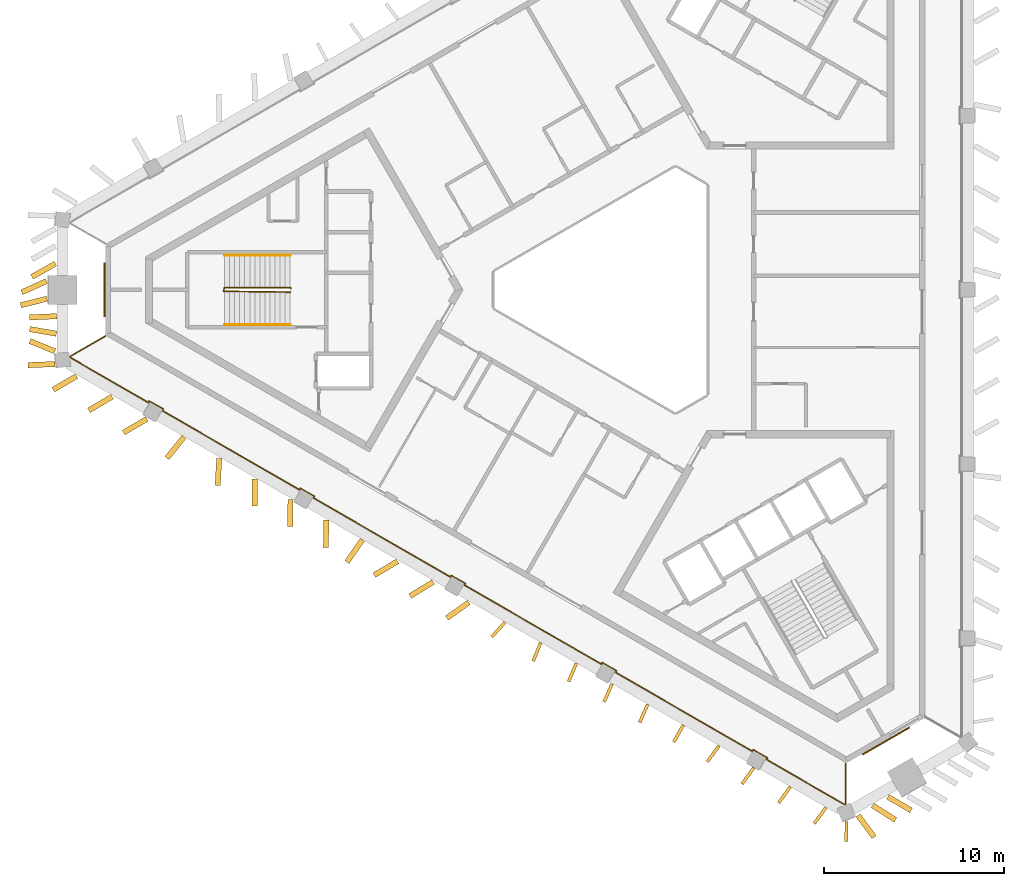
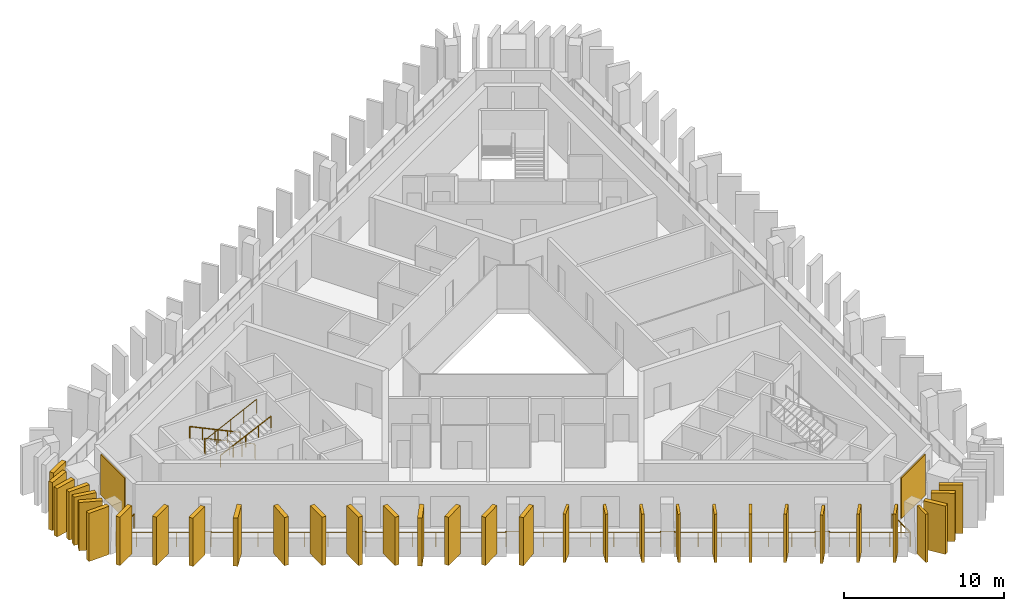
# One storey, part 7 of 9: 33 shading devices, 4 railings, 2 coverings.
"""IFC4 building model written with IfcOpenShell, lengths in metres."""

from ifc_helpers import new_model, si_unit, direction, frame, frame_2d, origin, origin_2d, place, context, subcontext, project, spatial, rectangle, circle, extrude, material, layer, layer_set, type_object, element, save


model = new_model("IFC4")

# Units and contexts
model_context = context("Model", 3, precision=1e-05, world=origin(), true_north=direction((0.0, 1.0)))
body_context = subcontext(model_context, "Body", "Model", "MODEL_VIEW")
ifc_project = project(units=[si_unit("LENGTHUNIT", "METRE"), si_unit("AREAUNIT", "SQUARE_METRE"), si_unit("VOLUMEUNIT", "CUBIC_METRE"), si_unit("PLANEANGLEUNIT", "RADIAN"), si_unit("MASSUNIT", "GRAM", prefix="KILO")], contexts=[model_context])

# Site, building, storey
site_placement = place(None, origin())
site = spatial("IfcSite", under=ifc_project, at=site_placement, CompositionType="ELEMENT")
building_placement = place(site_placement, origin())
building = spatial("IfcBuilding", under=site, at=building_placement, Name="Jabali Bay Hotel Tower and Convention Centre", CompositionType="ELEMENT")
storey_placement = place(building_placement, frame((0.0, 0.0, 281.199951171875)))
storey = spatial("IfcBuildingStorey", under=building, at=storey_placement, Name="L69", CompositionType="ELEMENT", Elevation=281.199951171875)

# Railing
ifc_material_1 = material(Name="Glass", Category="glass")
railing_type_1 = type_object("IfcRailingType", Name="Loggia glass guard 1100", PredefinedType="BALUSTRADE", material=ifc_material_1)
railing_1_placement = place(storey_placement, frame((87.193359375, 53.75927734375, 0.0)))
element("IfcRailing", 1, at=railing_1_placement, inside=storey, type_object=railing_type_1, Name="Loggia glass guard L69", PredefinedType="BALUSTRADE", context=body_context, shape_type="SweptSolid", body=[
    extrude(circle(Radius=0.02490234375, at=origin_2d()), frame((0.0, 0.0, 1.0751953125), z_axis=(0.0, -1.0, 0.0), x_axis=(0.991444861374, 0.0, 0.13052619222)), (0.0, 0.0, 1.0), 2.275146484375),
    extrude(circle(Radius=0.02490234375, at=origin_2d()), frame((0.0, -2.275146484375, 1.0751953125), z_axis=(-0.922495174035, -0.386008618922, 0.0), x_axis=(0.382706261677, -0.914603099939, 0.13052619222)), (0.0, 0.0, 1.0), 0.037353515625),
    extrude(circle(Radius=0.02490234375, at=origin_2d()), frame((-0.034423828125, -2.28955078125, 1.0751953125), z_axis=(-0.866030183273, 0.499991721592, 0.0), x_axis=(-0.495714223102, -0.858621175, 0.13052619222)), (0.0, 0.0, 1.0), 5.02294921875),
    extrude(circle(Radius=0.02490234375, at=origin_2d()), frame((-4.384521484375, 0.221923828125, 1.0751953125), z_axis=(0.501132629342, 0.865370491644, 0.0), x_axis=(-0.857967127125, 0.496845370228, 0.13052619222)), (0.0, 0.0, 1.0), 0.099853515625),
    extrude(circle(Radius=0.02490234375, at=origin_2d()), frame((-4.33447265625, 0.308349609375, 1.0751953125), z_axis=(-0.865896406789, 0.500223362819, 0.0), x_axis=(-0.495943882606, -0.858488542993, 0.13052619222)), (0.0, 0.0, 1.0), 0.89990234375),
    extrude(circle(Radius=0.02490234375, at=origin_2d()), frame((-5.11376953125, 0.758544921875, 1.0751953125), z_axis=(-0.500074377092, -0.865982457891, 0.0), x_axis=(0.858573857916, -0.495796171473, 0.13052619222)), (0.0, 0.0, 1.0), 0.10009765625),
    extrude(circle(Radius=0.02490234375, at=origin_2d()), frame((-5.163818359375, 0.671875, 1.0751953125), z_axis=(-0.866024096579, 0.500002264139, 0.0), x_axis=(-0.495724675456, -0.858615140379, 0.13052619222)), (0.0, 0.0, 1.0), 8.76123046875),
    extrude(circle(Radius=0.02490234375, at=origin_2d()), frame((-12.751220703125, 5.052490234375, 1.0751953125), z_axis=(0.501132629342, 0.865370491644, 0.0), x_axis=(-0.857967127125, 0.496845370228, 0.13052619222)), (0.0, 0.0, 1.0), 0.099853515625),
    extrude(circle(Radius=0.02490234375, at=origin_2d()), frame((-12.701171875, 5.138916015625, 1.0751953125), z_axis=(-0.865964261186, 0.500105887137, 0.0), x_axis=(-0.495827411944, -0.858555816886, 0.13052619222)), (0.0, 0.0, 1.0), 0.900146484375),
    extrude(circle(Radius=0.02490234375, at=origin_2d()), frame((-13.480712890625, 5.589111328125, 1.0751953125), z_axis=(-0.4982416694, -0.867038199201, 0.0), x_axis=(0.859620567213, -0.493979142849, 0.13052619222)), (0.0, 0.0, 1.0), 0.099853515625),
    extrude(circle(Radius=0.02490234375, at=origin_2d()), frame((-13.530517578125, 5.50244140625, 1.0751953125), z_axis=(-0.866024096579, 0.500002264139, 0.0), x_axis=(-0.495724675456, -0.858615140379, 0.13052619222)), (0.0, 0.0, 1.0), 8.76123046875),
    extrude(circle(Radius=0.02490234375, at=origin_2d()), frame((-21.117919921875, 9.883056640625, 1.0751953125), z_axis=(0.501132629342, 0.865370491644, 0.0), x_axis=(-0.857967127125, 0.496845370228, 0.13052619222)), (0.0, 0.0, 1.0), 0.099853515625),
    extrude(circle(Radius=0.02490234375, at=origin_2d()), frame((-21.06787109375, 9.969482421875, 1.0751953125), z_axis=(-0.866081705922, 0.499902469156, 0.0), x_axis=(-0.495625734232, -0.858672256866, 0.13052619222)), (0.0, 0.0, 1.0), 0.900146484375),
    extrude(circle(Radius=0.02490234375, at=origin_2d()), frame((-21.847412109375, 10.41943359375, 1.0751953125), z_axis=(-0.501132629342, -0.865370491644, 0.0), x_axis=(0.857967127125, -0.496845370228, 0.13052619222)), (0.0, 0.0, 1.0), 0.099853515625),
    extrude(circle(Radius=0.02490234375, at=origin_2d()), frame((-21.8974609375, 10.3330078125, 1.0751953125), z_axis=(-0.86602919656, 0.499993430662, 0.0), x_axis=(-0.495715917551, -0.858620196729, 0.13052619222)), (0.0, 0.0, 1.0), 8.7607421875),
    extrude(circle(Radius=0.02490234375, at=origin_2d()), frame((-29.484619140625, 14.71337890625, 1.0751953125), z_axis=(0.500074377092, 0.865982457891, 0.0), x_axis=(-0.858573857916, 0.495796171473, 0.13052619222)), (0.0, 0.0, 1.0), 0.10009765625),
    extrude(circle(Radius=0.02490234375, at=origin_2d()), frame((-29.4345703125, 14.800048828125, 1.0751953125), z_axis=(-0.866081705922, 0.499902469156, 0.0), x_axis=(-0.495625734232, -0.858672256866, 0.13052619222)), (0.0, 0.0, 1.0), 0.900146484375),
    extrude(circle(Radius=0.02490234375, at=origin_2d()), frame((-30.214111328125, 15.25, 1.0751953125), z_axis=(-0.501132629342, -0.865370491644, 0.0), x_axis=(0.857967127125, -0.496845370228, 0.13052619222)), (0.0, 0.0, 1.0), 0.099853515625),
    extrude(circle(Radius=0.02490234375, at=origin_2d()), frame((-30.26416015625, 15.16357421875, 1.0751953125), z_axis=(-0.86602919656, 0.499993430662, 0.0), x_axis=(-0.495715917551, -0.858620196729, 0.13052619222)), (0.0, 0.0, 1.0), 8.7607421875),
    extrude(circle(Radius=0.02490234375, at=origin_2d()), frame((-37.851318359375, 19.5439453125, 1.0751953125), z_axis=(0.4982416694, 0.867038199201, 0.0), x_axis=(-0.859620567213, 0.493979142849, 0.13052619222)), (0.0, 0.0, 1.0), 0.099853515625),
    extrude(circle(Radius=0.02490234375, at=origin_2d()), frame((-37.801513671875, 19.630615234375, 1.0751953125), z_axis=(-0.866013897511, 0.50001992892, 0.0), x_axis=(-0.495742189112, -0.858605028566, 0.13052619222)), (0.0, 0.0, 1.0), 0.89990234375),
    extrude(circle(Radius=0.02490234375, at=origin_2d()), frame((-38.580810546875, 20.08056640625, 1.0751953125), z_axis=(-0.501132629342, -0.865370491644, 0.0), x_axis=(0.857967127125, -0.496845370228, 0.13052619222)), (0.0, 0.0, 1.0), 0.099853515625),
    extrude(circle(Radius=0.02490234375, at=origin_2d()), frame((-38.630859375, 19.994140625, 1.0751953125), z_axis=(-0.866030183273, 0.499991721592, 0.0), x_axis=(-0.495714223102, -0.858621175, 0.13052619222)), (0.0, 0.0, 1.0), 5.02294921875),
    extrude(circle(Radius=0.02490234375, at=origin_2d()), frame((-42.98095703125, 22.505615234375, 1.0751953125), z_axis=(-0.124843395554, 0.9921764594, 0.0), x_axis=(-0.983688252248, -0.123775342998, 0.13052619222)), (0.0, 0.0, 1.0), 0.037109375),
    extrude(circle(Radius=0.02490234375, at=origin_2d()), frame((-42.985595703125, 22.54248046875, 1.0751953125), z_axis=(0.865989003036, 0.500063042646, 0.0), x_axis=(-0.495784933994, 0.858580347067, 0.13052619222)), (0.0, 0.0, 1.0), 2.275146484375),
    extrude(circle(Radius=0.02001953125, at=origin_2d()), origin(), (0.0, 0.0, 1.0), 1.050048828125),
    extrude(circle(Radius=0.02001953125, at=origin_2d()), frame((0.0, -1.1376953125, 0.0)), (0.0, 0.0, 1.0), 1.050048828125),
    extrude(circle(Radius=0.02001953125, at=origin_2d()), frame((0.0, -2.275146484375, 0.0)), (0.0, 0.0, 1.0), 1.050048828125),
    extrude(circle(Radius=0.02001953125, at=origin_2d()), frame((-0.034423828125, -2.28955078125, 0.0)), (0.0, 0.0, 1.0), 1.050048828125),
    extrude(circle(Radius=0.02001953125, at=origin_2d()), frame((-1.1220703125, -1.66162109375, 0.0)), (0.0, 0.0, 1.0), 1.050048828125),
    extrude(circle(Radius=0.02001953125, at=origin_2d()), frame((-2.20947265625, -1.03369140625, 0.0)), (0.0, 0.0, 1.0), 1.050048828125),
    extrude(circle(Radius=0.02001953125, at=origin_2d()), frame((-3.296875, -0.406005859375, 0.0)), (0.0, 0.0, 1.0), 1.050048828125),
    extrude(circle(Radius=0.02001953125, at=origin_2d()), frame((-4.384521484375, 0.221923828125, 0.0)), (0.0, 0.0, 1.0), 1.050048828125),
    extrude(circle(Radius=0.02001953125, at=origin_2d()), frame((-4.33447265625, 0.308349609375, 0.0)), (0.0, 0.0, 1.0), 1.050048828125),
    extrude(circle(Radius=0.02001953125, at=origin_2d()), frame((-5.11376953125, 0.758544921875, 0.0)), (0.0, 0.0, 1.0), 1.050048828125),
    extrude(circle(Radius=0.02001953125, at=origin_2d()), frame((-5.163818359375, 0.671875, 0.0)), (0.0, 0.0, 1.0), 1.050048828125),
    extrude(circle(Radius=0.02001953125, at=origin_2d()), frame((-6.428466796875, 1.40185546875, 0.0)), (0.0, 0.0, 1.0), 1.050048828125),
    extrude(circle(Radius=0.02001953125, at=origin_2d()), frame((-7.69287109375, 2.132080078125, 0.0)), (0.0, 0.0, 1.0), 1.050048828125),
    extrude(circle(Radius=0.02001953125, at=origin_2d()), frame((-8.95751953125, 2.8623046875, 0.0)), (0.0, 0.0, 1.0), 1.050048828125),
    extrude(circle(Radius=0.02001953125, at=origin_2d()), frame((-10.22216796875, 3.59228515625, 0.0)), (0.0, 0.0, 1.0), 1.050048828125),
    extrude(circle(Radius=0.02001953125, at=origin_2d()), frame((-11.486572265625, 4.322265625, 0.0)), (0.0, 0.0, 1.0), 1.050048828125),
    extrude(circle(Radius=0.02001953125, at=origin_2d()), frame((-12.751220703125, 5.052490234375, 0.0)), (0.0, 0.0, 1.0), 1.050048828125),
    extrude(circle(Radius=0.02001953125, at=origin_2d()), frame((-12.701171875, 5.138916015625, 0.0)), (0.0, 0.0, 1.0), 1.050048828125),
    extrude(circle(Radius=0.02001953125, at=origin_2d()), frame((-13.480712890625, 5.589111328125, 0.0)), (0.0, 0.0, 1.0), 1.050048828125),
    extrude(circle(Radius=0.02001953125, at=origin_2d()), frame((-13.530517578125, 5.50244140625, 0.0)), (0.0, 0.0, 1.0), 1.050048828125),
    extrude(circle(Radius=0.02001953125, at=origin_2d()), frame((-14.795166015625, 6.232421875, 0.0)), (0.0, 0.0, 1.0), 1.050048828125),
    extrude(circle(Radius=0.02001953125, at=origin_2d()), frame((-16.0595703125, 6.962646484375, 0.0)), (0.0, 0.0, 1.0), 1.050048828125),
    extrude(circle(Radius=0.02001953125, at=origin_2d()), frame((-17.32421875, 7.69287109375, 0.0)), (0.0, 0.0, 1.0), 1.050048828125),
    extrude(circle(Radius=0.02001953125, at=origin_2d()), frame((-18.5888671875, 8.4228515625, 0.0)), (0.0, 0.0, 1.0), 1.050048828125),
    extrude(circle(Radius=0.02001953125, at=origin_2d()), frame((-19.853271484375, 9.15283203125, 0.0)), (0.0, 0.0, 1.0), 1.050048828125),
    extrude(circle(Radius=0.02001953125, at=origin_2d()), frame((-21.117919921875, 9.883056640625, 0.0)), (0.0, 0.0, 1.0), 1.050048828125),
    extrude(circle(Radius=0.02001953125, at=origin_2d()), frame((-21.06787109375, 9.969482421875, 0.0)), (0.0, 0.0, 1.0), 1.050048828125),
    extrude(circle(Radius=0.02001953125, at=origin_2d()), frame((-21.847412109375, 10.41943359375, 0.0)), (0.0, 0.0, 1.0), 1.050048828125),
    extrude(circle(Radius=0.02001953125, at=origin_2d()), frame((-21.8974609375, 10.3330078125, 0.0)), (0.0, 0.0, 1.0), 1.050048828125),
    extrude(circle(Radius=0.02001953125, at=origin_2d()), frame((-23.162109375, 11.06298828125, 0.0)), (0.0, 0.0, 1.0), 1.050048828125),
    extrude(circle(Radius=0.02001953125, at=origin_2d()), frame((-24.426513671875, 11.793212890625, 0.0)), (0.0, 0.0, 1.0), 1.050048828125),
    extrude(circle(Radius=0.02001953125, at=origin_2d()), frame((-25.69091796875, 12.523193359375, 0.0)), (0.0, 0.0, 1.0), 1.050048828125),
    extrude(circle(Radius=0.02001953125, at=origin_2d()), frame((-26.95556640625, 13.253173828125, 0.0)), (0.0, 0.0, 1.0), 1.050048828125),
    extrude(circle(Radius=0.02001953125, at=origin_2d()), frame((-28.22021484375, 13.9833984375, 0.0)), (0.0, 0.0, 1.0), 1.050048828125),
    extrude(circle(Radius=0.02001953125, at=origin_2d()), frame((-29.484619140625, 14.71337890625, 0.0)), (0.0, 0.0, 1.0), 1.050048828125),
    extrude(circle(Radius=0.02001953125, at=origin_2d()), frame((-29.4345703125, 14.800048828125, 0.0)), (0.0, 0.0, 1.0), 1.050048828125),
    extrude(circle(Radius=0.02001953125, at=origin_2d()), frame((-30.214111328125, 15.25, 0.0)), (0.0, 0.0, 1.0), 1.050048828125),
    extrude(circle(Radius=0.02001953125, at=origin_2d()), frame((-30.26416015625, 15.16357421875, 0.0)), (0.0, 0.0, 1.0), 1.050048828125),
    extrude(circle(Radius=0.02001953125, at=origin_2d()), frame((-31.52880859375, 15.8935546875, 0.0)), (0.0, 0.0, 1.0), 1.050048828125),
    extrude(circle(Radius=0.02001953125, at=origin_2d()), frame((-32.793212890625, 16.623779296875, 0.0)), (0.0, 0.0, 1.0), 1.050048828125),
    extrude(circle(Radius=0.02001953125, at=origin_2d()), frame((-34.0576171875, 17.353759765625, 0.0)), (0.0, 0.0, 1.0), 1.050048828125),
    extrude(circle(Radius=0.02001953125, at=origin_2d()), frame((-35.322265625, 18.083740234375, 0.0)), (0.0, 0.0, 1.0), 1.050048828125),
    extrude(circle(Radius=0.02001953125, at=origin_2d()), frame((-36.5869140625, 18.81396484375, 0.0)), (0.0, 0.0, 1.0), 1.050048828125),
    extrude(circle(Radius=0.02001953125, at=origin_2d()), frame((-37.851318359375, 19.5439453125, 0.0)), (0.0, 0.0, 1.0), 1.050048828125),
    extrude(circle(Radius=0.02001953125, at=origin_2d()), frame((-37.801513671875, 19.630615234375, 0.0)), (0.0, 0.0, 1.0), 1.050048828125),
    extrude(circle(Radius=0.02001953125, at=origin_2d()), frame((-38.580810546875, 20.08056640625, 0.0)), (0.0, 0.0, 1.0), 1.050048828125),
    extrude(circle(Radius=0.02001953125, at=origin_2d()), frame((-38.630859375, 19.994140625, 0.0)), (0.0, 0.0, 1.0), 1.050048828125),
    extrude(circle(Radius=0.02001953125, at=origin_2d()), frame((-39.71826171875, 20.6220703125, 0.0)), (0.0, 0.0, 1.0), 1.050048828125),
    extrude(circle(Radius=0.02001953125, at=origin_2d()), frame((-40.805908203125, 21.25, 0.0)), (0.0, 0.0, 1.0), 1.050048828125),
    extrude(circle(Radius=0.02001953125, at=origin_2d()), frame((-41.8935546875, 21.877685546875, 0.0)), (0.0, 0.0, 1.0), 1.050048828125),
    extrude(circle(Radius=0.02001953125, at=origin_2d()), frame((-42.98095703125, 22.505615234375, 0.0)), (0.0, 0.0, 1.0), 1.050048828125),
    extrude(circle(Radius=0.02001953125, at=origin_2d()), frame((-42.985595703125, 22.54248046875, 0.0)), (0.0, 0.0, 1.0), 1.050048828125),
    extrude(circle(Radius=0.02001953125, at=origin_2d()), frame((-42.00048828125, 23.111328125, 0.0)), (0.0, 0.0, 1.0), 1.050048828125),
    extrude(circle(Radius=0.02001953125, at=origin_2d()), frame((-41.015380859375, 23.68017578125, 0.0)), (0.0, 0.0, 1.0), 1.050048828125),
])

# Shading devices
ifc_material_2 = material(Name="Precast concrete C60", Category="concrete")
ifc_layer_1 = layer(ifc_material_2, 0.179931640625)
ifc_layer_set_1 = layer_set([ifc_layer_1], Name="Precast concrete C60")
shading_device_type_1 = type_object("IfcShadingDeviceType", Name="Precast fin 3680 x 1100", PredefinedType="USERDEFINED", material=ifc_layer_set_1)
shading_device_1_placement = place(storey_placement, frame((68.318603515625, 61.58349609375, 0.010009765625), z_axis=(0.0, 0.0, 1.0), x_axis=(-0.669651170983, -0.742675776635, 0.0)))
element("IfcShadingDevice", 2, at=shading_device_1_placement, inside=storey, type_object=shading_device_type_1, Name="Fin L69 072", ObjectType="FIN", PredefinedType="USERDEFINED", context=body_context, shape_type="SweptSolid", body=[
    extrude(rectangle(XDim=1.099853515625, YDim=0.179931640625, at=frame_2d((0.5498046875, 0.0))), origin(), (0.0, 0.0, 1.0), 3.679931640625),
])
for number, where, z_axis, x_axis, name in (
    (3, (70.297607421875, 60.448486328125, 0.010009765625), (0.0, 0.0, 1.0), (-0.376627061168, -0.926364969543, 0.0), "Fin L69 073"),
    (4, (72.27392578125, 59.30908203125, 0.010009765625), (0.0, 0.0, 1.0), (-0.391051347128, -0.920368862962, 0.0), "Fin L69 074"),
    (5, (74.250244140625, 58.16943359375, 0.010009765625), (0.0, 0.0, 1.0), (-0.402552685733, -0.915396818439, 0.0), "Fin L69 075"),
    (6, (76.22607421875, 57.029052734375, 0.010009765625), (0.0, 0.0, 1.0), (-0.405911946598, -0.913912190317, 0.0), "Fin L69 076"),
):
    element("IfcShadingDevice", number, at=place(storey_placement, frame(where, z_axis=z_axis, x_axis=x_axis)), inside=storey, type_object=shading_device_type_1, Name=name, ObjectType="FIN", PredefinedType="USERDEFINED", context=body_context, shape_type="SweptSolid", body=[
        extrude(rectangle(XDim=1.10009765625, YDim=0.179931640625, at=frame_2d((0.550048828125, 0.0))), origin(), (0.0, 0.0, 1.0), 3.679931640625),
    ])
for number, where, z_axis, x_axis, name in (
    (7, (78.206298828125, 55.89599609375, 0.010009765625), (0.0, 0.0, 1.0), (-0.494512685492, -0.869170411305, 0.0), "Fin L69 077"),
    (8, (80.177490234375, 54.747802734375, 0.010009765625), (0.0, 0.0, 1.0), (-0.587102143786, -0.809512861394, 0.0), "Fin L69 078"),
    (9, (82.099609375, 53.513916015625, 0.010009765625), (0.0, 0.0, 1.0), (-0.587102143786, -0.809512861394, 0.0), "Fin L69 079"),
):
    element("IfcShadingDevice", number, at=place(storey_placement, frame(where, z_axis=z_axis, x_axis=x_axis)), inside=storey, type_object=shading_device_type_1, Name=name, ObjectType="FIN", PredefinedType="USERDEFINED", context=body_context, shape_type="SweptSolid", body=[
        extrude(rectangle(XDim=1.099853515625, YDim=0.179931640625, at=frame_2d((0.5498046875, 0.0))), origin(), (0.0, 0.0, 1.0), 3.679931640625),
    ])
shading_device_2_placement = place(storey_placement, frame((84.12890625, 52.466552734375, 0.010009765625), z_axis=(0.0, 0.0, 1.0), x_axis=(-0.586996664326, -0.809589350269, 0.0)))
element("IfcShadingDevice", 10, at=shading_device_2_placement, inside=storey, type_object=shading_device_type_1, Name="Fin L69 080", ObjectType="FIN", PredefinedType="USERDEFINED", context=body_context, shape_type="SweptSolid", body=[
    extrude(rectangle(XDim=1.10009765625, YDim=0.179931640625, at=frame_2d((0.550048828125, 0.0))), origin(), (0.0, 0.0, 1.0), 3.679931640625),
])
shading_device_3_placement = place(storey_placement, frame((86.104736328125, 51.32568359375, 0.010009765625), z_axis=(0.0, 0.0, 1.0), x_axis=(-0.586851177258, -0.809694816428, 0.0)))
element("IfcShadingDevice", 11, at=shading_device_3_placement, inside=storey, type_object=shading_device_type_1, Name="Fin L69 081", ObjectType="FIN", PredefinedType="USERDEFINED", context=body_context, shape_type="SweptSolid", body=[
    extrude(rectangle(XDim=1.099853515625, YDim=0.179931640625, at=frame_2d((0.5498046875, 0.0))), origin(), (0.0, 0.0, 1.0), 3.679931640625),
])
shading_device_4_placement = place(storey_placement, frame((87.243408203125, 50.54345703125, 0.010009765625), z_axis=(0.0, 0.0, 1.0), x_axis=(-0.015758309421, -0.999875830133, 0.0)))
element("IfcShadingDevice", 12, at=shading_device_4_placement, inside=storey, type_object=shading_device_type_1, Name="Fin L69 095", ObjectType="FIN", PredefinedType="USERDEFINED", context=body_context, shape_type="SweptSolid", body=[
    extrude(rectangle(XDim=1.10009765625, YDim=0.179931640625, at=frame_2d((0.550048828125, 0.0))), origin(), (0.0, 0.0, 1.0), 3.679931640625),
])
ifc_layer_2 = layer(ifc_material_2, 0.300048828125)
ifc_layer_set_2 = layer_set([ifc_layer_2], Name="Precast concrete C60")
shading_device_type_2 = type_object("IfcShadingDeviceType", Name="Precast fin 3680 x 1500", PredefinedType="USERDEFINED", material=ifc_layer_set_2)
for number, where, z_axis, x_axis, name in (
    (13, (43.417236328125, 81.458251953125, 0.010009765625), (0.0, 0.0, 1.0), (-0.869831289423, -0.493349296078, 0.0), "Fin L69 054"),
    (14, (42.91650390625, 80.486083984375, 0.010009765625), (0.0, 0.0, 1.0), (-0.910109912376, -0.414366923625, 0.0), "Fin L69 055"),
):
    element("IfcShadingDevice", number, at=place(storey_placement, frame(where, z_axis=z_axis, x_axis=x_axis)), inside=storey, type_object=shading_device_type_2, Name=name, ObjectType="FIN", PredefinedType="USERDEFINED", context=body_context, shape_type="SweptSolid", body=[
        extrude(rectangle(XDim=1.5, YDim=0.300048828125, at=frame_2d((0.75, 0.0))), origin(), (0.0, 0.0, 1.0), 3.679931640625),
    ])
shading_device_5_placement = place(storey_placement, frame((42.941650390625, 79.513916015625, 0.010009765625), z_axis=(0.0, 0.0, 1.0), x_axis=(-0.969128996808, -0.246554228407, 0.0)))
element("IfcShadingDevice", 15, at=shading_device_5_placement, inside=storey, type_object=shading_device_type_2, Name="Fin L69 056", ObjectType="FIN", PredefinedType="USERDEFINED", context=body_context, shape_type="SweptSolid", body=[
    extrude(rectangle(XDim=1.500244140625, YDim=0.300048828125, at=frame_2d((0.75, 0.0))), origin(), (0.0, 0.0, 1.0), 3.679931640625),
])
shading_device_6_placement = place(storey_placement, frame((43.484619140625, 78.541748046875, 0.010009765625), z_axis=(0.0, 0.0, 1.0), x_axis=(-0.999041050479, -0.043783323978, 0.0)))
element("IfcShadingDevice", 16, at=shading_device_6_placement, inside=storey, type_object=shading_device_type_2, Name="Fin L69 057", ObjectType="FIN", PredefinedType="USERDEFINED", context=body_context, shape_type="SweptSolid", body=[
    extrude(rectangle(XDim=1.5, YDim=0.300048828125, at=frame_2d((0.75, 0.0))), origin(), (0.0, 0.0, 1.0), 3.679931640625),
])
shading_device_7_placement = place(storey_placement, frame((43.46533203125, 77.569580078125, 0.010009765625), z_axis=(0.0, 0.0, 1.0), x_axis=(-0.984945357501, 0.172865967553, 0.0)))
element("IfcShadingDevice", 17, at=shading_device_7_placement, inside=storey, type_object=shading_device_type_2, Name="Fin L69 058", ObjectType="FIN", PredefinedType="USERDEFINED", context=body_context, shape_type="SweptSolid", body=[
    extrude(rectangle(XDim=1.499755859375, YDim=0.300048828125, at=frame_2d((0.75, 0.0))), origin(), (0.0, 0.0, 1.0), 3.679931640625),
])
for number, where, z_axis, x_axis, name in (
    (18, (43.388427734375, 76.597412109375, 0.010009765625), (0.0, 0.0, 1.0), (-0.926374328727, 0.376604040175, 0.0), "Fin L69 059"),
    (19, (44.582763671875, 75.223876953125, 0.010009765625), (0.0, 0.0, 1.0), (-0.862139163582, -0.506671552998, 0.0), "Fin L69 060"),
    (20, (46.558349609375, 74.083251953125, 0.010009765625), (0.0, 0.0, 1.0), (-0.862139163582, -0.506671552998, 0.0), "Fin L69 061"),
    (21, (48.48046875, 72.849365234375, 0.010009765625), (0.0, 0.0, 1.0), (-0.862210257959, -0.506550561218, 0.0), "Fin L69 062"),
):
    element("IfcShadingDevice", number, at=place(storey_placement, frame(where, z_axis=z_axis, x_axis=x_axis)), inside=storey, type_object=shading_device_type_2, Name=name, ObjectType="FIN", PredefinedType="USERDEFINED", context=body_context, shape_type="SweptSolid", body=[
        extrude(rectangle(XDim=1.5, YDim=0.300048828125, at=frame_2d((0.75, 0.0))), origin(), (0.0, 0.0, 1.0), 3.679931640625),
    ])
shading_device_8_placement = place(storey_placement, frame((50.53515625, 71.845458984375, 0.010009765625), z_axis=(0.0, 0.0, 1.0), x_axis=(-0.629801958421, -0.77675574872, 0.0)))
element("IfcShadingDevice", 22, at=shading_device_8_placement, inside=storey, type_object=shading_device_type_2, Name="Fin L69 063", ObjectType="FIN", PredefinedType="USERDEFINED", context=body_context, shape_type="SweptSolid", body=[
    extrude(rectangle(XDim=1.500244140625, YDim=0.300048828125, at=frame_2d((0.75, 0.0))), origin(), (0.0, 0.0, 1.0), 3.679931640625),
])
shading_device_9_placement = place(storey_placement, frame((52.48876953125, 70.666748046875, 0.010009765625), z_axis=(0.0, 0.0, 1.0), x_axis=(-0.057624615315, -0.998338321267, 0.0)))
element("IfcShadingDevice", 23, at=shading_device_9_placement, inside=storey, type_object=shading_device_type_2, Name="Fin L69 064", ObjectType="FIN", PredefinedType="USERDEFINED", context=body_context, shape_type="SweptSolid", body=[
    extrude(rectangle(XDim=1.499755859375, YDim=0.300048828125, at=frame_2d((0.75, 0.0))), origin(), (0.0, 0.0, 1.0), 3.679931640625),
])
for number, where, z_axis, x_axis, name in (
    (24, (54.461181640625, 69.5205078125, 0.010009765625), (0.0, 0.0, 1.0), (-0.007649515767, -0.999970742026, 0.0), "Fin L69 065"),
    (25, (56.43701171875, 68.3798828125, 0.010009765625), (0.0, 0.0, 1.0), (-0.007812261592, -0.999969483819, 0.0), "Fin L69 066"),
    (26, (58.41259765625, 67.2392578125, 0.010009765625), (0.0, 0.0, 1.0), (-0.007812261592, -0.999969483819, 0.0), "Fin L69 067"),
    (27, (60.419189453125, 66.15185546875, 0.010009765625), (0.0, 0.0, 1.0), (-0.569819192119, -0.821770094547, 0.0), "Fin L69 068"),
    (28, (62.3642578125, 64.958251953125, 0.010009765625), (0.0, 0.0, 1.0), (-0.86002438991, -0.510252926262, 0.0), "Fin L69 069"),
):
    element("IfcShadingDevice", number, at=place(storey_placement, frame(where, z_axis=z_axis, x_axis=x_axis)), inside=storey, type_object=shading_device_type_2, Name=name, ObjectType="FIN", PredefinedType="USERDEFINED", context=body_context, shape_type="SweptSolid", body=[
        extrude(rectangle(XDim=1.5, YDim=0.300048828125, at=frame_2d((0.75, 0.0))), origin(), (0.0, 0.0, 1.0), 3.679931640625),
    ])
for number, where, z_axis, x_axis, name in (
    (29, (64.341064453125, 63.819580078125, 0.010009765625), (0.0, 0.0, 1.0), (-0.851490637072, -0.524369807463, 0.0), "Fin L69 070"),
    (30, (66.3212890625, 62.6865234375, 0.010009765625), (0.0, 0.0, 1.0), (-0.814710998387, -0.57986721679, 0.0), "Fin L69 071"),
):
    element("IfcShadingDevice", number, at=place(storey_placement, frame(where, z_axis=z_axis, x_axis=x_axis)), inside=storey, type_object=shading_device_type_2, Name=name, ObjectType="FIN", PredefinedType="USERDEFINED", context=body_context, shape_type="SweptSolid", body=[
        extrude(rectangle(XDim=1.500244140625, YDim=0.300048828125, at=frame_2d((0.75, 0.0))), origin(), (0.0, 0.0, 1.0), 3.679931640625),
    ])
shading_device_10_placement = place(storey_placement, frame((87.87939453125, 50.88720703125, 0.010009765625), z_axis=(0.0, 0.0, 1.0), x_axis=(0.594857728267, -0.80383100408, 0.0)))
element("IfcShadingDevice", 31, at=shading_device_10_placement, inside=storey, type_object=shading_device_type_2, Name="Fin L69 082", ObjectType="FIN", PredefinedType="USERDEFINED", context=body_context, shape_type="SweptSolid", body=[
    extrude(rectangle(XDim=1.5, YDim=0.300048828125, at=frame_2d((0.75, 0.0))), origin(), (0.0, 0.0, 1.0), 3.679931640625),
])
shading_device_11_placement = place(storey_placement, frame((88.6845703125, 51.43701171875, 0.010009765625), z_axis=(0.0, 0.0, 1.0), x_axis=(0.845639722414, -0.533754119306, 0.0)))
element("IfcShadingDevice", 32, at=shading_device_11_placement, inside=storey, type_object=shading_device_type_2, Name="Fin L69 083", ObjectType="FIN", PredefinedType="USERDEFINED", context=body_context, shape_type="SweptSolid", body=[
    extrude(rectangle(XDim=1.499755859375, YDim=0.300048828125, at=frame_2d((0.75, 0.0))), origin(), (0.0, 0.0, 1.0), 3.679931640625),
])
for number, where, z_axis, x_axis, name in (
    (33, (89.528564453125, 51.91943359375, 0.010009765625), (0.0, 0.0, 1.0), (0.862210257959, -0.506550561218, 0.0), "Fin L69 084"),
    (34, (43.39013671875, 75.887451171875, 0.010009765625), (0.0, 0.0, 1.0), (-0.999261895753, -0.038414368366, 0.0), "Fin L69 094"),
):
    element("IfcShadingDevice", number, at=place(storey_placement, frame(where, z_axis=z_axis, x_axis=x_axis)), inside=storey, type_object=shading_device_type_2, Name=name, ObjectType="FIN", PredefinedType="USERDEFINED", context=body_context, shape_type="SweptSolid", body=[
        extrude(rectangle(XDim=1.5, YDim=0.300048828125, at=frame_2d((0.75, 0.0))), origin(), (0.0, 0.0, 1.0), 3.679931640625),
    ])

# Coverings
ifc_material_3 = material(Name="Precast concrete C40/50", Category="concrete")
ifc_layer_3 = layer(ifc_material_3, 0.080078125)
ifc_layer_set_3 = layer_set([ifc_layer_3], Name="Precast concrete C40/50")
covering_type = type_object("IfcCoveringType", Name="Relief panel 3000 x 3100", PredefinedType="CLADDING", material=ifc_layer_set_3)
for number, where, z_axis, x_axis, name in (
    (35, (46.13818359375, 80.0, 0.10009765625), (0.0, 0.0, 1.0), (0.0, 1.0, 0.0), "Relief panel L69"),
    (36, (89.430908203125, 55.0048828125, 0.10009765625), (0.0, 0.0, 1.0), (-0.866025409055, -0.499999990871, 0.0), "Relief panel L69"),
):
    element("IfcCovering", number, at=place(storey_placement, frame(where, z_axis=z_axis, x_axis=x_axis)), inside=storey, type_object=covering_type, Name=name, PredefinedType="CLADDING", context=body_context, shape_type="SweptSolid", body=[
        extrude(rectangle(XDim=3.0, YDim=0.080078125, at=origin_2d()), origin(), (0.0, 0.0, 1.0), 3.10009765625),
    ])

# Railings
ifc_material_4 = material(Name="Steel Q355B", Category="steel")
railing_type_2 = type_object("IfcRailingType", Name="Stair guard 1100", PredefinedType="GUARDRAIL", material=ifc_material_4)
railing_2_placement = place(storey_placement, frame((56.469970703125, 80.074951171875, 0.0)))
element("IfcRailing", 37, at=railing_2_placement, inside=storey, type_object=railing_type_2, Name="L69 ST1 stair guard 1", PredefinedType="GUARDRAIL", context=body_context, shape_type="SweptSolid", body=[
    extrude(circle(Radius=0.02392578125, at=origin_2d()), frame((0.0, 0.0, 1.076171875), z_axis=(-0.333993628408, 0.333993628408, 0.881417331555), x_axis=(-0.707106781187, -0.707106781187, 0.0)), (0.0, 0.0, 1.0), 0.14990234375),
    extrude(circle(Radius=0.02392578125, at=origin_2d()), frame((-0.050048828125, 0.050048828125, 1.2080078125), z_axis=(-0.904327350853, 0.0, 0.426839598092), x_axis=(0.0, -1.0, 0.0)), (0.0, 0.0, 1.0), 4.02490234375),
    extrude(circle(Radius=0.02392578125, at=origin_2d()), frame((-3.68994140625, 0.050048828125, 2.92626953125), z_axis=(-0.242814311512, -0.970072785993, 0.0), x_axis=(0.970072785993, -0.242814311512, 0.0)), (0.0, 0.0, 1.0), 0.2060546875),
    extrude(circle(Radius=0.02392578125, at=origin_2d()), frame((-3.739990234375, -0.14990234375, 2.92626953125), z_axis=(0.893887803671, -0.012124321804, 0.4481267625), x_axis=(0.013562335953, 0.999908027292, 0.0)), (0.0, 0.0, 1.0), 4.1279296875),
    extrude(circle(Radius=0.02099609375, at=origin_2d()), origin(), (0.0, 0.0, 1.0), 1.052001953125),
    extrude(circle(Radius=0.02099609375, at=origin_2d()), frame((-0.050048828125, 0.050048828125, 0.132080078125)), (0.0, 0.0, 1.0), 1.052001953125),
    extrude(circle(Radius=0.02099609375, at=origin_2d()), frame((-0.9599609375, 0.050048828125, 0.5615234375)), (0.0, 0.0, 1.0), 1.052001953125),
    extrude(circle(Radius=0.02099609375, at=origin_2d()), frame((-1.8701171875, 0.050048828125, 0.9912109375)), (0.0, 0.0, 1.0), 1.052001953125),
    extrude(circle(Radius=0.02099609375, at=origin_2d()), frame((-2.780029296875, 0.050048828125, 1.420654296875)), (0.0, 0.0, 1.0), 1.052001953125),
    extrude(circle(Radius=0.02099609375, at=origin_2d()), frame((-3.68994140625, 0.050048828125, 1.85009765625)), (0.0, 0.0, 1.0), 1.052001953125),
    extrude(circle(Radius=0.02099609375, at=origin_2d()), frame((-3.739990234375, -0.14990234375, 1.85009765625)), (0.0, 0.0, 1.0), 1.052001953125),
    extrude(circle(Radius=0.02099609375, at=origin_2d()), frame((-2.8173828125, -0.162353515625, 2.3125)), (0.0, 0.0, 1.0), 1.052001953125),
    extrude(circle(Radius=0.02099609375, at=origin_2d()), frame((-1.89501953125, -0.1748046875, 2.77490234375)), (0.0, 0.0, 1.0), 1.052001953125),
    extrude(circle(Radius=0.02099609375, at=origin_2d()), frame((-0.97265625, -0.1875, 3.237548828125)), (0.0, 0.0, 1.0), 1.052001953125),
    extrude(circle(Radius=0.02099609375, at=origin_2d()), frame((-0.050048828125, -0.199951171875, 3.699951171875)), (0.0, 0.0, 1.0), 1.052001953125),
])
railing_type_3 = type_object("IfcRailingType", Name="Stair handrail 900", PredefinedType="HANDRAIL", material=ifc_material_4)
railing_3_placement = place(storey_placement, frame((56.419921875, 81.925048828125, 0.132080078125)))
element("IfcRailing", 38, at=railing_3_placement, inside=storey, type_object=railing_type_3, Name="L69 ST1 stair handrail 1", PredefinedType="HANDRAIL", context=body_context, shape_type="SweptSolid", body=[
    extrude(circle(Radius=0.02392578125, at=origin_2d()), frame((0.0, 0.0, 0.8759765625), z_axis=(-0.904327350853, 0.0, 0.426839598092), x_axis=(0.0, -1.0, 0.0)), (0.0, 0.0, 1.0), 4.02490234375),
    extrude(circle(Radius=0.02099609375, at=origin_2d()), origin(), (0.0, 0.0, 1.0), 0.851806640625),
    extrude(circle(Radius=0.02099609375, at=origin_2d()), frame((-0.909912109375, 0.0, 0.429443359375)), (0.0, 0.0, 1.0), 0.851806640625),
    extrude(circle(Radius=0.02099609375, at=origin_2d()), frame((-1.81982421875, 0.0, 0.85888671875)), (0.0, 0.0, 1.0), 0.851806640625),
    extrude(circle(Radius=0.02099609375, at=origin_2d()), frame((-2.72998046875, 0.0, 1.28857421875)), (0.0, 0.0, 1.0), 0.851806640625),
    extrude(circle(Radius=0.02099609375, at=origin_2d()), frame((-3.639892578125, 0.0, 1.718017578125)), (0.0, 0.0, 1.0), 0.851806640625),
])
railing_4_placement = place(storey_placement, frame((52.780029296875, 78.074951171875, 1.982177734375)))
element("IfcRailing", 39, at=railing_4_placement, inside=storey, type_object=railing_type_3, Name="L69 ST1 stair handrail 2", PredefinedType="HANDRAIL", context=body_context, shape_type="SweptSolid", body=[
    extrude(circle(Radius=0.02392578125, at=origin_2d()), frame((0.0, 0.0, 0.8759765625), z_axis=(0.904350763662, 0.0, 0.426789990819), x_axis=(0.0, 1.0, 0.0)), (0.0, 0.0, 1.0), 4.02490234375),
    extrude(circle(Radius=0.02099609375, at=origin_2d()), origin(), (0.0, 0.0, 1.0), 0.851806640625),
    extrude(circle(Radius=0.02099609375, at=origin_2d()), frame((0.909912109375, 0.0, 0.429443359375)), (0.0, 0.0, 1.0), 0.851806640625),
    extrude(circle(Radius=0.02099609375, at=origin_2d()), frame((1.81982421875, 0.0, 0.85888671875)), (0.0, 0.0, 1.0), 0.851806640625),
    extrude(circle(Radius=0.02099609375, at=origin_2d()), frame((2.72998046875, 0.0, 1.288330078125)), (0.0, 0.0, 1.0), 0.851806640625),
    extrude(circle(Radius=0.02099609375, at=origin_2d()), frame((3.639892578125, 0.0, 1.7177734375)), (0.0, 0.0, 1.0), 0.851806640625),
])

save(model, "model.ifc")
